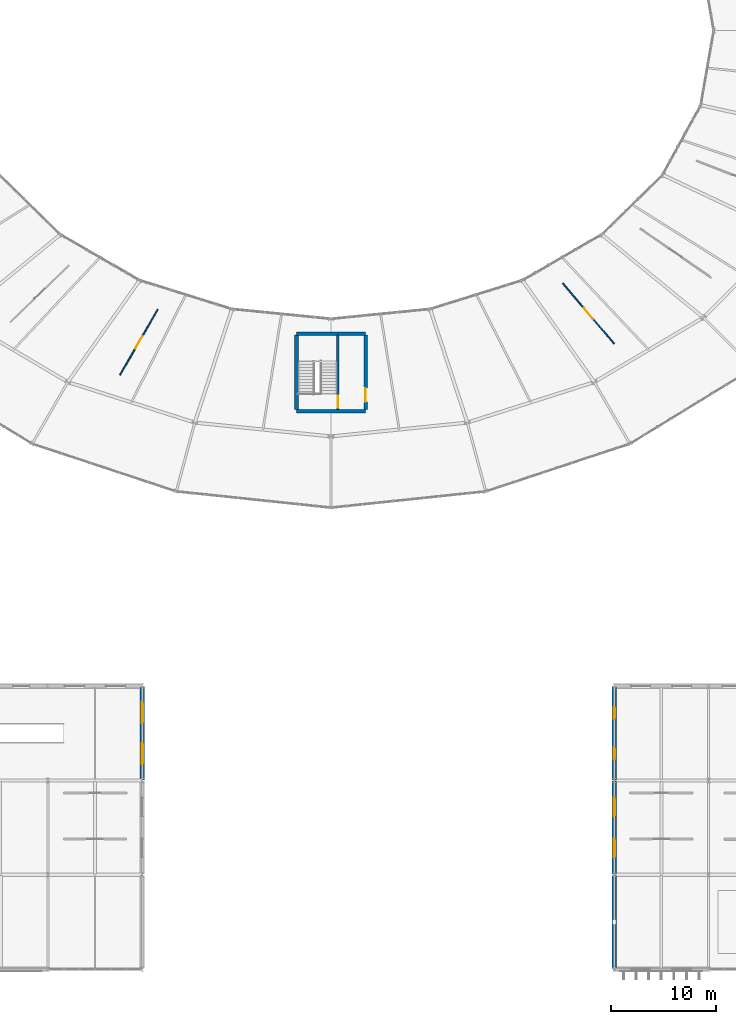
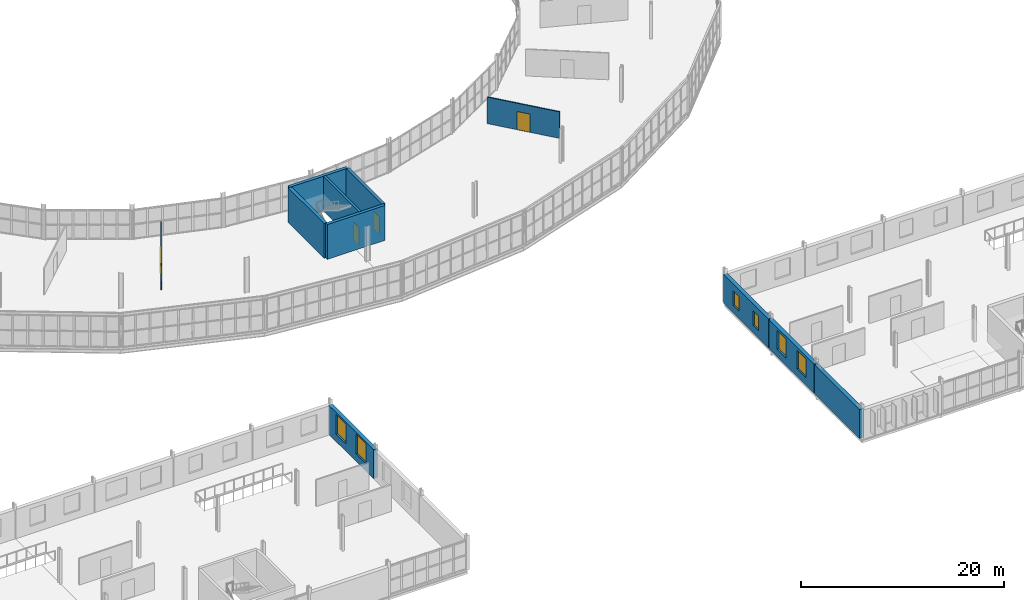
# One storey, part 135 of 161: 11 walls, 6 windows, 4 doors, 10 openings.
"""IFC4 building model written with IfcOpenShell, lengths in metres."""

import ifcopenshell
import ifcopenshell.guid

model = None  # the IFC model being written
_history = None  # IfcOwnerHistory: only IFC2X3 demands one
_inside = {}  # id of a spatial element -> (the spatial element, [elements in it])
_under = {}  # id of a project, library or spatial element -> (it, [spatial elements below it])
_declared = {}  # id of a project -> (the project, [libraries it declares])
_typed = {}  # id of a type object -> (the type object, [elements of that type])
_made_of = {}  # id of a material, layer set ... -> (it, [elements and type objects made of it])


def new_model(schema):
    """Start an empty IFC model of exactly this schema.

    Asked for "IFC4X3", IfcOpenShell would pick the latest addendum, in which some entities
    have other attributes; the version numbers below select the first issue.
    IFC2X3 requires an IfcOwnerHistory on every rooted entity: one is made here for all.
    """
    global model, _history
    if schema == "IFC4X3":
        model = ifcopenshell.file(schema_version=(4, 3, 0, 0))
    else:
        model = ifcopenshell.file(schema=schema)
    _inside.clear()
    _under.clear()
    _declared.clear()
    _typed.clear()
    _made_of.clear()
    _history = None
    if model.schema == "IFC2X3":
        org = make("IfcOrganization", Name="unknown")
        user = make(
            "IfcPersonAndOrganization",
            ThePerson=make("IfcPerson", FamilyName="unknown"),
            TheOrganization=org,
        )
        app = make(
            "IfcApplication",
            ApplicationDeveloper=org,
            Version="unknown",
            ApplicationFullName="unknown",
            ApplicationIdentifier="unknown",
        )
        _history = make(
            "IfcOwnerHistory",
            OwningUser=user,
            OwningApplication=app,
            ChangeAction="ADDED",
            CreationDate=0,
        )
    return model


def make(cls, **values):
    """One entity of the class cls with the attributes given. An attribute that is None is left unset."""
    return model.create_entity(
        cls, **{name: value for name, value in values.items() if value is not None}
    )


def rooted(cls, **values):
    """An entity with a GlobalId (a new one), such as an element, a storey or a relation."""
    return make(cls, GlobalId=ifcopenshell.guid.new(), OwnerHistory=_history, **values)


def si_unit(unit_type, name, prefix=None):
    """IfcSIUnit, for example si_unit("LENGTHUNIT", "METRE", prefix="MILLI")."""
    return make("IfcSIUnit", UnitType=unit_type, Prefix=prefix, Name=name)


def assignment(units):
    """IfcUnitAssignment: the units of a project."""
    return None if units is None else make("IfcUnitAssignment", Units=units)


def point(xyz):
    """IfcCartesianPoint."""
    return None if xyz is None else make("IfcCartesianPoint", Coordinates=xyz)


def direction(xyz):
    """IfcDirection."""
    return None if xyz is None else make("IfcDirection", DirectionRatios=xyz)


def frame(location, z_axis=None, x_axis=None):
    """IfcAxis2Placement3D, a coordinate frame: its origin and axes. An axis left out is left unset."""
    return make(
        "IfcAxis2Placement3D",
        Location=point(location),
        Axis=direction(z_axis),
        RefDirection=direction(x_axis),
    )


def frame_2d(location, x_axis=None):
    """IfcAxis2Placement2D, a coordinate frame in the plane: its origin and x axis."""
    return make(
        "IfcAxis2Placement2D", Location=point(location), RefDirection=direction(x_axis)
    )


def origin():
    """The frame at (0, 0, 0) with its axes left unset."""
    return frame((0.0, 0.0, 0.0))


def place(relative_to, where):
    """IfcLocalPlacement: puts the frame where relative to a parent placement (None: the world)."""
    return make(
        "IfcLocalPlacement", PlacementRelTo=relative_to, RelativePlacement=where
    )


def context(
    kind, dimensions, precision=None, world=None, true_north=None, identifier=None
):
    """IfcGeometricRepresentationContext, for example the 3D "Model" context."""
    return make(
        "IfcGeometricRepresentationContext",
        ContextIdentifier=identifier,
        ContextType=kind,
        CoordinateSpaceDimension=dimensions,
        Precision=precision,
        WorldCoordinateSystem=world,
        TrueNorth=true_north,
    )


def subcontext(parent, identifier, kind, view, scale=None):
    """IfcGeometricRepresentationSubContext, for example "Body" below "Model"."""
    return make(
        "IfcGeometricRepresentationSubContext",
        ContextIdentifier=identifier,
        ContextType=kind,
        ParentContext=parent,
        TargetScale=scale,
        TargetView=view,
    )


def project(units=None, contexts=None):
    """IfcProject with its units and contexts."""
    return rooted(
        "IfcProject",
        Name="project",
        RepresentationContexts=contexts,
        UnitsInContext=assignment(units),
    )


def spatial(cls, under=None, at=None, **own):
    """A site, building, storey or space (cls), placed at a placement, below another one or the project."""
    s = rooted(cls, ObjectPlacement=at, **own)
    if under is not None:
        _under.setdefault(under.id(), (under, []))[1].append(s)
    return s


def profile(cls, at=None, kind="AREA", **sizes):
    """A parametric profile (cls). Its sizes go by their IFC names, for example OverallWidth=200.0."""
    return make(cls, ProfileType=kind, Position=at, **sizes)


def rectangle(**sizes):
    """IfcRectangleProfileDef."""
    return profile("IfcRectangleProfileDef", **sizes)


def extrude(swept, where, along, depth):
    """IfcExtrudedAreaSolid: the profile swept, set in the frame where, extruded along a direction by depth."""
    return make(
        "IfcExtrudedAreaSolid",
        SweptArea=swept,
        Position=where,
        ExtrudedDirection=direction(along),
        Depth=depth,
    )


def shape(context_of_items, identifier, shape_type, items):
    """IfcShapeRepresentation: the items that make up one representation, for example the "Body"."""
    return make(
        "IfcShapeRepresentation",
        ContextOfItems=context_of_items,
        RepresentationIdentifier=identifier,
        RepresentationType=shape_type,
        Items=items,
    )


def material(Name=None, Category=None):
    """IfcMaterial."""
    return make("IfcMaterial", Name=Name, Category=Category)


def layer(
    of_material, thickness, ventilated=None, Name=None, Category=None, Priority=None
):
    """IfcMaterialLayer: one layer of a wall or slab, of a material (None: an air gap)."""
    return make(
        "IfcMaterialLayer",
        Material=of_material,
        LayerThickness=thickness,
        IsVentilated=ventilated,
        Name=Name,
        Category=Category,
        Priority=Priority,
    )


def layer_set(layers, Name=None):
    """IfcMaterialLayerSet."""
    return make("IfcMaterialLayerSet", MaterialLayers=layers, LayerSetName=Name)


def made_of(thing, what):
    """Note that an element or type object is made of a material, layer set ...; save() writes the relation."""
    if what is not None:
        _made_of.setdefault(what.id(), (what, []))[1].append(thing)
    return thing


def type_object(cls, material=None, **own):
    """A type object (cls), such as IfcWallType, which elements share."""
    return made_of(rooted(cls, **own), material)


def element(
    cls,
    number,
    at=None,
    inside=None,
    cuts=None,
    type_object=None,
    material=None,
    context=None,
    identifier="Body",
    shape_type=None,
    held_by="IfcProductDefinitionShape",
    body=None,
    shapes=None,
    **own,
):
    """One element of the class cls, such as IfcWall. Its Tag is "e" and its number.

    at: its placement. inside: the storey or other place that contains it. cuts: it is an
    opening in that element (IfcRelVoidsElement). A single representation is given by context,
    identifier, shape_type and body (its items); several are given by shapes. held_by: the class
    of the entity that holds the representations. save() writes the other relations.
    """
    e = rooted(cls, Tag="e%d" % number, ObjectPlacement=at, **own)
    if body is not None:
        shapes = [shape(context, identifier, shape_type, body)]
    if shapes is not None:
        e.Representation = make(held_by, Representations=shapes)
    if inside is not None:
        _inside.setdefault(inside.id(), (inside, []))[1].append(e)
    if cuts is not None:
        rooted(
            "IfcRelVoidsElement", RelatingBuildingElement=cuts, RelatedOpeningElement=e
        )
    if type_object is not None:
        _typed.setdefault(type_object.id(), (type_object, []))[1].append(e)
    return made_of(e, material)


def fill(opening, filler):
    """IfcRelFillsElement: the door or window that sits in an opening."""
    return rooted(
        "IfcRelFillsElement",
        RelatingOpeningElement=opening,
        RelatedBuildingElement=filler,
    )


def aggregate(whole, parts):
    """IfcRelAggregates: a whole, such as a stair, and the parts it consists of."""
    return rooted("IfcRelAggregates", RelatingObject=whole, RelatedObjects=parts)


def save(model, path):
    """Write the relations noted so far, then the file.

    IfcRelAggregates (storeys below a building ...), IfcRelContainedInSpatialStructure (elements
    in a storey), IfcRelDefinesByType, IfcRelAssociatesMaterial and IfcRelDeclares: one each for
    every whole, place, type object, material and project.
    """
    for whole, parts in _under.values():
        aggregate(whole, parts)
    for where, things in _inside.values():
        rooted(
            "IfcRelContainedInSpatialStructure",
            RelatedElements=things,
            RelatingStructure=where,
        )
    for kind, things in _typed.values():
        rooted("IfcRelDefinesByType", RelatedObjects=things, RelatingType=kind)
    for what, things in _made_of.values():
        rooted("IfcRelAssociatesMaterial", RelatedObjects=things, RelatingMaterial=what)
    for by, libraries in _declared.values():
        rooted("IfcRelDeclares", RelatingContext=by, RelatedDefinitions=libraries)
    model.write(path)


model = new_model("IFC4")

# Units and contexts
model_context = context("Model", 3, precision=1e-05, world=origin(), true_north=direction((0.0, 1.0)))
body_context = subcontext(model_context, "Body", "Model", "MODEL_VIEW")
ifc_project = project(units=[si_unit("LENGTHUNIT", "METRE"), si_unit("AREAUNIT", "SQUARE_METRE"), si_unit("VOLUMEUNIT", "CUBIC_METRE"), si_unit("PLANEANGLEUNIT", "RADIAN"), si_unit("MASSUNIT", "GRAM", prefix="KILO")], contexts=[model_context])

# Site, building, storey
site_placement = place(None, origin())
site = spatial("IfcSite", under=ifc_project, at=site_placement, CompositionType="ELEMENT")
building_placement = place(site_placement, origin())
building = spatial("IfcBuilding", under=site, at=building_placement, Name="Kildeholm Park Wholesale Market", CompositionType="ELEMENT")
storey_placement = place(building_placement, frame((0.0, 0.0, 5.39990234375)))
storey = spatial("IfcBuildingStorey", under=building, at=storey_placement, Name="L01", CompositionType="ELEMENT", Elevation=5.39990234375)

# Wall, openings, windows
ifc_material_1 = material(Name="Insulated clinker brick and glazed ceramic mosaic facade wall", Category="masonry")
ifc_layer_1 = layer(ifc_material_1, 0.43994140625)
ifc_layer_set_1 = layer_set([ifc_layer_1], Name="Insulated clinker brick and glazed ceramic mosaic facade wall")
wall_type_1 = type_object("IfcWallType", Name="Exterior wall W-EX3 440 mm", PredefinedType="SOLIDWALL", material=ifc_layer_set_1)
wall_1_placement = place(storey_placement, frame((81.0, 18.06005859375, 0.0), z_axis=(0.0, 0.0, 1.0), x_axis=(0.0, 1.0, 0.0)))
wall_1 = element("IfcWall", 1, at=wall_1_placement, inside=storey, type_object=wall_type_1, Name="Exterior wall V5W-L01-E.3 WL-0534", PredefinedType="SOLIDWALL", context=body_context, shape_type="SweptSolid", body=[
    extrude(rectangle(XDim=8.8798828125, YDim=0.43994140625, at=frame_2d((4.43994140625, 0.0))), origin(), (0.0, 0.0, 1.0), 3.5),
])
opening_1_placement = place(wall_1_placement, frame((1.486083984375, 0.0, 0.89990234375)))
opening_1 = element("IfcOpeningElement", 2, at=opening_1_placement, cuts=wall_1, Name="Opening WN-16", PredefinedType="OPENING", context=body_context, shape_type="SweptSolid", body=[
    extrude(rectangle(XDim=2.0, YDim=2.39990234375, at=frame_2d((1.0, 1.199951171875))), frame((0.0, 0.22998046875, 0.0), z_axis=(0.0, -1.0, 0.0), x_axis=(1.0, 0.0, 0.0)), (0.0, 0.0, 1.0), 0.4599609375),
])
opening_2_placement = place(wall_1_placement, frame((5.39404296875, 0.0, 0.89990234375)))
opening_2 = element("IfcOpeningElement", 3, at=opening_2_placement, cuts=wall_1, Name="Opening WN-16", PredefinedType="OPENING", context=body_context, shape_type="SweptSolid", body=[
    extrude(rectangle(XDim=2.0, YDim=2.39990234375, at=frame_2d((1.0, 1.199951171875))), frame((0.0, 0.22998046875, 0.0), z_axis=(0.0, -1.0, 0.0), x_axis=(1.0, 0.0, 0.0)), (0.0, 0.0, 1.0), 0.4599609375),
])
ifc_material_2 = material(Name="Thermally broken aluminium and triple-glazed low-E glass", Category="aluminium")
window_type_1 = type_object("IfcWindowType", Name="Window WN-16 2000x2400", PartitioningType="TRIPLE_PANEL_VERTICAL", PredefinedType="WINDOW", material=ifc_material_2)
window_1_placement = place(opening_1_placement, origin())
window_1 = element("IfcWindow", 4, at=window_1_placement, inside=storey, type_object=window_type_1, Name="Window V5W-L01-E.3.1 WIN-0323", OverallHeight=2.39990234375, OverallWidth=2.0, PartitioningType="SINGLE_PANEL", PredefinedType="WINDOW", context=body_context, shape_type="SweptSolid", body=[
    extrude(rectangle(XDim=2.0, YDim=2.39990234375, at=frame_2d((1.0, 1.199951171875))), frame((0.0, 0.030029296875, 0.0), z_axis=(0.0, -1.0, 0.0), x_axis=(1.0, 0.0, 0.0)), (0.0, 0.0, 1.0), 0.06005859375),
])
fill(opening_1, window_1)
window_2_placement = place(opening_2_placement, origin())
window_2 = element("IfcWindow", 5, at=window_2_placement, inside=storey, type_object=window_type_1, Name="Window V5W-L01-E.3.2 WIN-0324", OverallHeight=2.39990234375, OverallWidth=2.0, PartitioningType="SINGLE_PANEL", PredefinedType="WINDOW", context=body_context, shape_type="SweptSolid", body=[
    extrude(rectangle(XDim=2.0, YDim=2.39990234375, at=frame_2d((1.0, 1.199951171875))), frame((0.0, 0.030029296875, 0.0), z_axis=(0.0, -1.0, 0.0), x_axis=(1.0, 0.0, 0.0)), (0.0, 0.0, 1.0), 0.06005859375),
])
fill(opening_2, window_2)

# Wall
wall_2_placement = place(storey_placement, frame((126.0, 0.06005859375, 0.0), z_axis=(0.0, 0.0, 1.0), x_axis=(0.0, 1.0, 0.0)))
element("IfcWall", 6, at=wall_2_placement, inside=storey, type_object=wall_type_1, Name="Exterior wall V5E-L01-W.1 WL-0605", PredefinedType="SOLIDWALL", context=body_context, shape_type="SweptSolid", body=[
    extrude(rectangle(XDim=8.8798828125, YDim=0.43994140625, at=frame_2d((4.43994140625, 0.0))), origin(), (0.0, 0.0, 1.0), 3.5),
])

# Wall, openings, windows
wall_3_placement = place(storey_placement, frame((126.0, 9.06005859375, 0.0), z_axis=(0.0, 0.0, 1.0), x_axis=(0.0, 1.0, 0.0)))
wall_3 = element("IfcWall", 7, at=wall_3_placement, inside=storey, type_object=wall_type_1, Name="Exterior wall V5E-L01-W.2 WL-0606", PredefinedType="SOLIDWALL", context=body_context, shape_type="SweptSolid", body=[
    extrude(rectangle(XDim=8.8798828125, YDim=0.43994140625, at=frame_2d((4.43994140625, 0.0))), origin(), (0.0, 0.0, 1.0), 3.5),
])
opening_3_placement = place(wall_3_placement, frame((1.611083984375, 0.0, 0.89990234375)))
opening_3 = element("IfcOpeningElement", 8, at=opening_3_placement, cuts=wall_3, Name="Opening WN-25", PredefinedType="OPENING", context=body_context, shape_type="SweptSolid", body=[
    extrude(rectangle(XDim=1.75, YDim=2.25, at=frame_2d((0.875, 1.125))), frame((0.0, 0.22998046875, 0.0), z_axis=(0.0, -1.0, 0.0), x_axis=(1.0, 0.0, 0.0)), (0.0, 0.0, 1.0), 0.4599609375),
])
opening_4_placement = place(wall_3_placement, frame((5.51904296875, 0.0, 0.89990234375)))
opening_4 = element("IfcOpeningElement", 9, at=opening_4_placement, cuts=wall_3, Name="Opening WN-25", PredefinedType="OPENING", context=body_context, shape_type="SweptSolid", body=[
    extrude(rectangle(XDim=1.75, YDim=2.25, at=frame_2d((0.875, 1.125))), frame((0.0, 0.22998046875, 0.0), z_axis=(0.0, -1.0, 0.0), x_axis=(1.0, 0.0, 0.0)), (0.0, 0.0, 1.0), 0.4599609375),
])
window_type_2 = type_object("IfcWindowType", Name="Window WN-25 1750x2250", PartitioningType="DOUBLE_PANEL_VERTICAL", PredefinedType="WINDOW", material=ifc_material_2)
window_3_placement = place(opening_3_placement, origin())
window_3 = element("IfcWindow", 10, at=window_3_placement, inside=storey, type_object=window_type_2, Name="Window V5E-L01-W.2.1 WIN-0404", OverallHeight=2.25, OverallWidth=1.75, PartitioningType="SINGLE_PANEL", PredefinedType="WINDOW", context=body_context, shape_type="SweptSolid", body=[
    extrude(rectangle(XDim=1.75, YDim=2.25, at=frame_2d((0.875, 1.125))), frame((0.0, 0.030029296875, 0.0), z_axis=(0.0, -1.0, 0.0), x_axis=(1.0, 0.0, 0.0)), (0.0, 0.0, 1.0), 0.06005859375),
])
fill(opening_3, window_3)
window_4_placement = place(opening_4_placement, origin())
window_4 = element("IfcWindow", 11, at=window_4_placement, inside=storey, type_object=window_type_2, Name="Window V5E-L01-W.2.2 WIN-0405", OverallHeight=2.25, OverallWidth=1.75, PartitioningType="SINGLE_PANEL", PredefinedType="WINDOW", context=body_context, shape_type="SweptSolid", body=[
    extrude(rectangle(XDim=1.75, YDim=2.25, at=frame_2d((0.875, 1.125))), frame((0.0, 0.030029296875, 0.0), z_axis=(0.0, -1.0, 0.0), x_axis=(1.0, 0.0, 0.0)), (0.0, 0.0, 1.0), 0.06005859375),
])
fill(opening_4, window_4)

wall_4_placement = place(storey_placement, frame((126.0, 18.06005859375, 0.0), z_axis=(0.0, 0.0, 1.0), x_axis=(0.0, 1.0, 0.0)))
wall_4 = element("IfcWall", 12, at=wall_4_placement, inside=storey, type_object=wall_type_1, Name="Exterior wall V5E-L01-W.3 WL-0607", PredefinedType="SOLIDWALL", context=body_context, shape_type="SweptSolid", body=[
    extrude(rectangle(XDim=8.8798828125, YDim=0.43994140625, at=frame_2d((4.43994140625, 0.0))), origin(), (0.0, 0.0, 1.0), 3.5),
])
opening_5_placement = place(wall_4_placement, frame((1.910888671875, 0.0, 0.89990234375)))
opening_5 = element("IfcOpeningElement", 13, at=opening_5_placement, cuts=wall_4, Name="Opening WN-27", PredefinedType="OPENING", context=body_context, shape_type="SweptSolid", body=[
    extrude(rectangle(XDim=1.14990234375, YDim=1.75, at=frame_2d((0.574951171875, 0.875))), frame((0.0, 0.22998046875, 0.0), z_axis=(0.0, -1.0, 0.0), x_axis=(1.0, 0.0, 0.0)), (0.0, 0.0, 1.0), 0.4599609375),
])
opening_6_placement = place(wall_4_placement, frame((5.819091796875, 0.0, 0.89990234375)))
opening_6 = element("IfcOpeningElement", 14, at=opening_6_placement, cuts=wall_4, Name="Opening WN-27", PredefinedType="OPENING", context=body_context, shape_type="SweptSolid", body=[
    extrude(rectangle(XDim=1.14990234375, YDim=1.75, at=frame_2d((0.574951171875, 0.875))), frame((0.0, 0.22998046875, 0.0), z_axis=(0.0, -1.0, 0.0), x_axis=(1.0, 0.0, 0.0)), (0.0, 0.0, 1.0), 0.4599609375),
])
window_type_3 = type_object("IfcWindowType", Name="Window WN-27 1150x1750", PartitioningType="SINGLE_PANEL", PredefinedType="WINDOW", material=ifc_material_2)
window_5_placement = place(opening_5_placement, origin())
window_5 = element("IfcWindow", 15, at=window_5_placement, inside=storey, type_object=window_type_3, Name="Window V5E-L01-W.3.1 WIN-0406", OverallHeight=1.75, OverallWidth=1.14990234375, PartitioningType="SINGLE_PANEL", PredefinedType="WINDOW", context=body_context, shape_type="SweptSolid", body=[
    extrude(rectangle(XDim=1.14990234375, YDim=1.75, at=frame_2d((0.574951171875, 0.875))), frame((0.0, 0.030029296875, 0.0), z_axis=(0.0, -1.0, 0.0), x_axis=(1.0, 0.0, 0.0)), (0.0, 0.0, 1.0), 0.06005859375),
])
fill(opening_5, window_5)
window_6_placement = place(opening_6_placement, origin())
window_6 = element("IfcWindow", 16, at=window_6_placement, inside=storey, type_object=window_type_3, Name="Window V5E-L01-W.3.2 WIN-0407", OverallHeight=1.75, OverallWidth=1.14990234375, PartitioningType="SINGLE_PANEL", PredefinedType="WINDOW", context=body_context, shape_type="SweptSolid", body=[
    extrude(rectangle(XDim=1.14990234375, YDim=1.75, at=frame_2d((0.574951171875, 0.875))), frame((0.0, 0.030029296875, 0.0), z_axis=(0.0, -1.0, 0.0), x_axis=(1.0, 0.0, 0.0)), (0.0, 0.0, 1.0), 0.06005859375),
])
fill(opening_6, window_6)

# Wall, opening, door
ifc_material_3 = material(Name="Galvanized steel stud and moisture-resistant tile partition", Category="steel")
ifc_layer_2 = layer(ifc_material_3, 0.1201171875)
ifc_layer_set_2 = layer_set([ifc_layer_2], Name="Galvanized steel stud and moisture-resistant tile partition")
wall_type_2 = type_object("IfcWallType", Name="Partition W-PT02 120 mm", PredefinedType="PARTITIONING", material=ifc_layer_set_2)
wall_5_placement = place(storey_placement, frame((82.468994140625, 62.89892578125, 0.0), z_axis=(0.0, 0.0, 1.0), x_axis=(-0.499109384588, -0.866538990592, 0.0)))
wall_5 = element("IfcWall", 17, at=wall_5_placement, inside=storey, type_object=wall_type_2, Name="Interior partition W-V1-ST1-16 WL-0948", PredefinedType="PARTITIONING", context=body_context, shape_type="SweptSolid", body=[
    extrude(rectangle(XDim=7.206787109375, YDim=0.1201171875, at=frame_2d((3.603515625, 0.0))), origin(), (0.0, 0.0, 1.0), 3.2001953125),
])
opening_7_placement = place(wall_5_placement, frame((2.927978515625, 0.0, 0.0)))
opening_7 = element("IfcOpeningElement", 18, at=opening_7_placement, cuts=wall_5, Name="Opening D-IN07", PredefinedType="OPENING", context=body_context, shape_type="SweptSolid", body=[
    extrude(rectangle(XDim=1.35009765625, YDim=2.199951171875, at=frame_2d((0.675048828125, 1.10009765625))), frame((0.0, 0.070068359375, 0.0), z_axis=(0.0, -1.0, 0.0), x_axis=(1.0, 0.0, 0.0)), (0.0, 0.0, 1.0), 0.14013671875),
])
ifc_material_4 = material(Name="Wholesale stall service doorset")
door_type_1 = type_object("IfcDoorType", Name="Interior door D-IN07 1350x2200", OperationType="NOTDEFINED", PredefinedType="DOOR", material=ifc_material_4)
door_1_placement = place(opening_7_placement, origin())
door_1 = element("IfcDoor", 19, at=door_1_placement, inside=storey, type_object=door_type_1, Name="Interior door V1-ST1-16 DR-0223 WL-0948", OperationType="SINGLE_SWING_LEFT", OverallHeight=2.199951171875, OverallWidth=1.35009765625, PredefinedType="DOOR", context=body_context, shape_type="SweptSolid", body=[
    extrude(rectangle(XDim=1.35009765625, YDim=2.199951171875, at=frame_2d((0.675048828125, 1.10009765625))), frame((0.0, 0.02490234375, 0.0), z_axis=(0.0, -1.0, 0.0), x_axis=(1.0, 0.0, 0.0)), (0.0, 0.0, 1.0), 0.050048828125),
])
fill(opening_7, door_1)

wall_6_placement = place(storey_placement, frame((121.093994140625, 65.406982421875, 0.0), z_axis=(0.0, 0.0, 1.0), x_axis=(0.647387575623, -0.762160958676, 0.0)))
wall_6 = element("IfcWall", 20, at=wall_6_placement, inside=storey, type_object=wall_type_2, Name="Interior partition W-V1-ST1-20 WL-0950", PredefinedType="PARTITIONING", context=body_context, shape_type="SweptSolid", body=[
    extrude(rectangle(XDim=7.5810546875, YDim=0.1201171875, at=frame_2d((3.79052734375, 0.0))), origin(), (0.0, 0.0, 1.0), 3.2001953125),
])
opening_8_placement = place(wall_6_placement, frame((3.115966796875, 0.0, 0.0)))
opening_8 = element("IfcOpeningElement", 21, at=opening_8_placement, cuts=wall_6, Name="Opening D-IN07", PredefinedType="OPENING", context=body_context, shape_type="SweptSolid", body=[
    extrude(rectangle(XDim=1.35009765625, YDim=2.199951171875, at=frame_2d((0.675048828125, 1.10009765625))), frame((0.0, 0.070068359375, 0.0), z_axis=(0.0, -1.0, 0.0), x_axis=(1.0, 0.0, 0.0)), (0.0, 0.0, 1.0), 0.14013671875),
])
door_2_placement = place(opening_8_placement, origin())
door_2 = element("IfcDoor", 22, at=door_2_placement, inside=storey, type_object=door_type_1, Name="Interior door V1-ST1-20 DR-0225 WL-0950", OperationType="SINGLE_SWING_LEFT", OverallHeight=2.199951171875, OverallWidth=1.35009765625, PredefinedType="DOOR", context=body_context, shape_type="SweptSolid", body=[
    extrude(rectangle(XDim=1.35009765625, YDim=2.199951171875, at=frame_2d((0.675048828125, 1.10009765625))), frame((0.0, 0.02490234375, 0.0), z_axis=(0.0, -1.0, 0.0), x_axis=(1.0, 0.0, 0.0)), (0.0, 0.0, 1.0), 0.050048828125),
])
fill(opening_8, door_2)

ifc_material_5 = material(Name="Concrete C40/50", Category="concrete")
ifc_layer_3 = layer(ifc_material_5, 0.25)
ifc_layer_set_3 = layer_set([ifc_layer_3], Name="Concrete C40/50")
wall_type_3 = type_object("IfcWallType", Name="Shear wall W-SH2 250 mm", PredefinedType="SHEAR", material=ifc_layer_set_3)
wall_7_placement = place(storey_placement, frame((99.64990234375, 53.35009765625, 0.0), z_axis=(0.0, 0.0, 1.0), x_axis=(0.0, 1.0, 0.0)))
wall_7 = element("IfcWall", 23, at=wall_7_placement, inside=storey, type_object=wall_type_3, Name="Core C10 shaft wall L01 WL-0837", PredefinedType="SHEAR", context=body_context, shape_type="SweptSolid", body=[
    extrude(rectangle(XDim=7.099853515625, YDim=0.25, at=frame_2d((3.5498046875, 0.0))), origin(), (0.0, 0.0, 1.0), 4.2001953125),
])
opening_9_placement = place(wall_7_placement, frame((0.199951171875, 0.0, 0.0)))
opening_9 = element("IfcOpeningElement", 24, at=opening_9_placement, cuts=wall_7, Name="Opening D-CR01", PredefinedType="OPENING", context=body_context, shape_type="SweptSolid", body=[
    extrude(rectangle(XDim=1.14990234375, YDim=2.14990234375, at=frame_2d((0.574951171875, 1.074951171875))), frame((0.0, 0.135009765625, 0.0), z_axis=(0.0, -1.0, 0.0), x_axis=(1.0, 0.0, 0.0)), (0.0, 0.0, 1.0), 0.27001953125),
])
ifc_material_6 = material(Name="Painted steel fire escape doorset", Category="steel")
door_type_2 = type_object("IfcDoorType", Name="Interior door D-CR01 1150x2150", OperationType="NOTDEFINED", PredefinedType="DOOR", material=ifc_material_6)
door_3_placement = place(opening_9_placement, frame((1.14990234375, 0.0, 0.0), z_axis=(0.0, 0.0, 1.0), x_axis=(-1.0, 0.0, 0.0)))
door_3 = element("IfcDoor", 25, at=door_3_placement, inside=storey, type_object=door_type_2, Name="Core C10 stair fire door L01 DR-0170 WL-0837", OperationType="SINGLE_SWING_RIGHT", OverallHeight=2.14990234375, OverallWidth=1.14990234375, PredefinedType="DOOR", context=body_context, shape_type="SweptSolid", body=[
    extrude(rectangle(XDim=1.14990234375, YDim=2.14990234375, at=frame_2d((0.574951171875, 1.074951171875))), frame((0.0, 0.02490234375, 0.0), z_axis=(0.0, -1.0, 0.0), x_axis=(1.0, 0.0, 0.0)), (0.0, 0.0, 1.0), 0.050048828125),
])
fill(opening_9, door_3)

# Walls
ifc_layer_4 = layer(ifc_material_5, 0.35009765625)
ifc_layer_set_4 = layer_set([ifc_layer_4], Name="Concrete C40/50")
wall_type_4 = type_object("IfcWallType", Name="Shear wall W-SH3 350 mm", PredefinedType="SHEAR", material=ifc_layer_set_4)
for number, where, z_axis, x_axis, name in (
    (26, (95.699951171875, 53.199951171875, 0.0), (0.0, 0.0, 1.0), (1.0, 0.0, 0.0), "Core C10 south shear wall L01 WL-0833"),
    (27, (95.699951171875, 60.60009765625, 0.0), (0.0, 0.0, 1.0), (1.0, 0.0, 0.0), "Core C10 north shear wall L01 WL-0834"),
):
    element("IfcWall", number, at=place(storey_placement, frame(where, z_axis=z_axis, x_axis=x_axis)), inside=storey, type_object=wall_type_4, Name=name, PredefinedType="SHEAR", context=body_context, shape_type="SweptSolid", body=[
        extrude(rectangle(XDim=6.60009765625, YDim=0.35009765625, at=frame_2d((3.300048828125, 0.0))), origin(), (0.0, 0.0, 1.0), 4.2001953125),
    ])
wall_8_placement = place(storey_placement, frame((95.699951171875, 53.35009765625, 0.0), z_axis=(0.0, 0.0, 1.0), x_axis=(0.0, 1.0, 0.0)))
element("IfcWall", 28, at=wall_8_placement, inside=storey, type_object=wall_type_4, Name="Core C10 west shear wall L01 WL-0835", PredefinedType="SHEAR", context=body_context, shape_type="SweptSolid", body=[
    extrude(rectangle(XDim=7.099853515625, YDim=0.35009765625, at=frame_2d((3.5498046875, 0.0))), origin(), (0.0, 0.0, 1.0), 4.2001953125),
])

# Wall, opening, door
wall_9_placement = place(storey_placement, frame((102.300048828125, 53.35009765625, 0.0), z_axis=(0.0, 0.0, 1.0), x_axis=(0.0, 1.0, 0.0)))
wall_9 = element("IfcWall", 29, at=wall_9_placement, inside=storey, type_object=wall_type_4, Name="Core C10 east shear wall L01 WL-0836", PredefinedType="SHEAR", context=body_context, shape_type="SweptSolid", body=[
    extrude(rectangle(XDim=7.099853515625, YDim=0.35009765625, at=frame_2d((3.5498046875, 0.0))), origin(), (0.0, 0.0, 1.0), 4.2001953125),
])
opening_10_placement = place(wall_9_placement, frame((0.75, 0.0, 0.0)))
opening_10 = element("IfcOpeningElement", 30, at=opening_10_placement, cuts=wall_9, Name="Opening D-CR02", PredefinedType="OPENING", context=body_context, shape_type="SweptSolid", body=[
    extrude(rectangle(XDim=1.300048828125, YDim=2.14990234375, at=frame_2d((0.64990234375, 1.074951171875))), frame((0.0, 0.18505859375, 0.0), z_axis=(0.0, -1.0, 0.0), x_axis=(1.0, 0.0, 0.0)), (0.0, 0.0, 1.0), 0.3701171875),
])
ifc_material_7 = material(Name="Painted steel core lobby double-leaf doorset", Category="steel")
door_type_3 = type_object("IfcDoorType", Name="Interior door D-CR02 1300x2150", OperationType="NOTDEFINED", PredefinedType="DOOR", material=ifc_material_7)
door_4_placement = place(opening_10_placement, frame((1.300048828125, 0.0, 0.0), z_axis=(0.0, 0.0, 1.0), x_axis=(-1.0, 0.0, 0.0)))
door_4 = element("IfcDoor", 31, at=door_4_placement, inside=storey, type_object=door_type_3, Name="Core C10 lobby entrance door L01 DR-0169 WL-0836", OperationType="DOUBLE_DOOR_SINGLE_SWING", OverallHeight=2.14990234375, OverallWidth=1.300048828125, PredefinedType="DOOR", context=body_context, shape_type="SweptSolid", body=[
    extrude(rectangle(XDim=1.300048828125, YDim=2.14990234375, at=frame_2d((0.64990234375, 1.074951171875))), frame((0.0, 0.02490234375, 0.0), z_axis=(0.0, -1.0, 0.0), x_axis=(1.0, 0.0, 0.0)), (0.0, 0.0, 1.0), 0.050048828125),
])
fill(opening_10, door_4)

save(model, "model.ifc")
